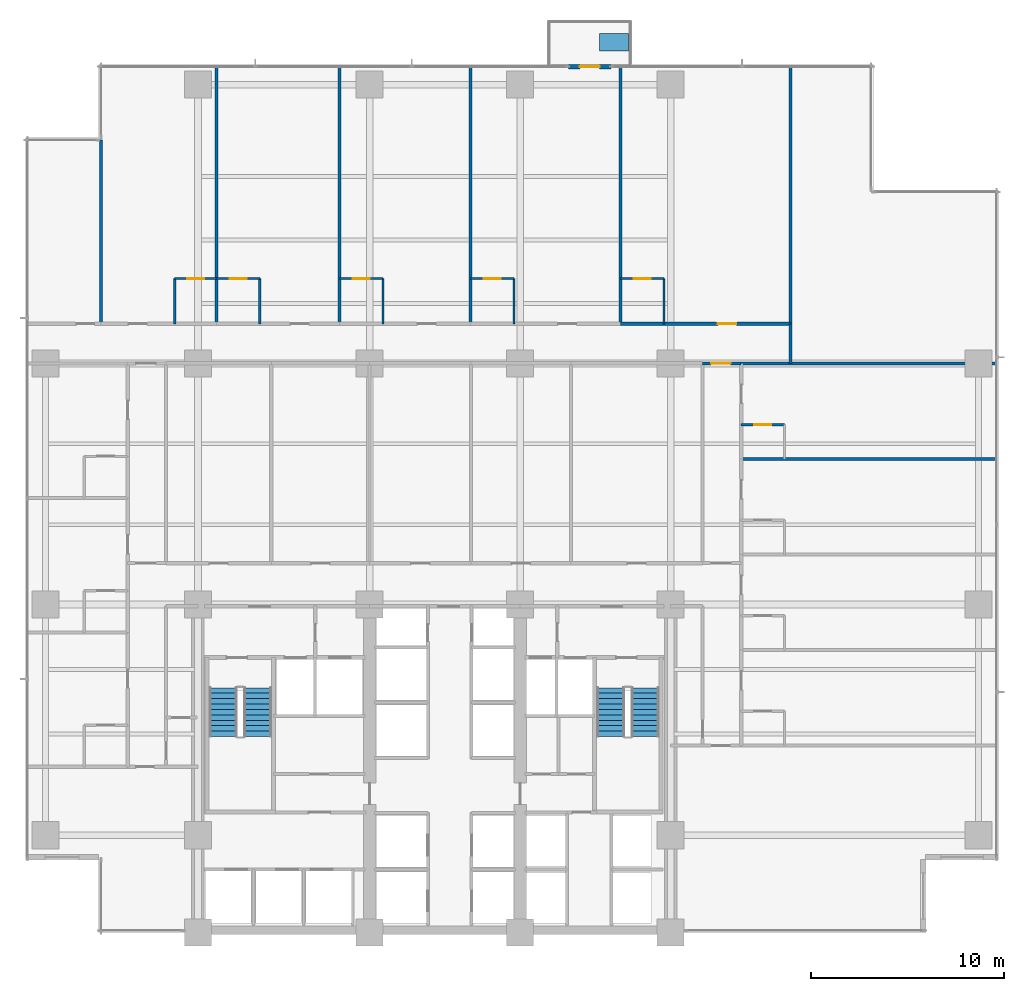
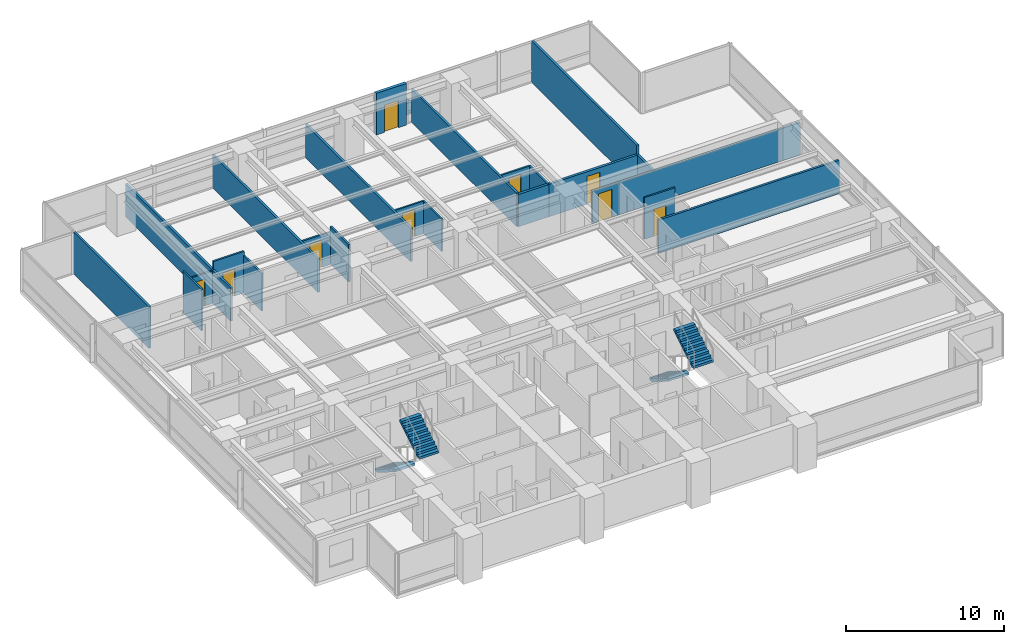
# One storey, part 11 of 17: 24 walls, 9 doors, 4 stair flights, 1 discrete accessory, 9 openings, 2 elements without a shape of their own.
"""IFC4 building model written with IfcOpenShell, lengths in metres."""

from ifc_helpers import new_model, si_unit, direction, frame, frame_2d, origin, place, context, subcontext, project, spatial, polyline, rectangle, outline, extrude, material, layer, layer_set, type_object, element, fill, aggregate, save


model = new_model("IFC4")

# Units and contexts
model_context = context("Model", 3, precision=1e-05, world=origin(), true_north=direction((0.0, 1.0)))
body_context = subcontext(model_context, "Body", "Model", "MODEL_VIEW")
ifc_project = project(units=[si_unit("LENGTHUNIT", "METRE"), si_unit("AREAUNIT", "SQUARE_METRE"), si_unit("VOLUMEUNIT", "CUBIC_METRE"), si_unit("PLANEANGLEUNIT", "RADIAN"), si_unit("MASSUNIT", "GRAM", prefix="KILO")], contexts=[model_context])

# Site, building, storey
site_placement = place(None, origin())
site = spatial("IfcSite", under=ifc_project, at=site_placement, CompositionType="ELEMENT")
building_placement = place(site_placement, origin())
building = spatial("IfcBuilding", under=site, at=building_placement, Name="Qalmaran Belvedere Hotel", CompositionType="ELEMENT")
storey_placement = place(building_placement, frame((0.0, 0.0, 40.39990234375)))
storey = spatial("IfcBuildingStorey", under=building, at=storey_placement, Name="L09", CompositionType="ELEMENT", Elevation=40.39990234375)

# Wall, opening, door
ifc_material_1 = material(Name="Anodised Bronze Cladding")
ifc_layer_1 = layer(ifc_material_1, 0.22509765625, Name="Anodised Bronze Cladding")
ifc_layer_set_1 = layer_set([ifc_layer_1], Name="Anodised Bronze Cladding")
wall_type_1 = type_object("IfcWallType", Name="WL-BAL-PORT-225", PredefinedType="SOLIDWALL", material=ifc_layer_set_1)
wall_1_placement = place(storey_placement, frame((39.5, 48.3798828125, 0.0), z_axis=(0.0, 0.0, 1.0), x_axis=(1.0, 0.0, 0.0)))
wall_1 = element("IfcWall", 1, at=wall_1_placement, inside=storey, type_object=wall_type_1, Name="L09 Tree Balcony Door Portal", PredefinedType="SOLIDWALL", context=body_context, shape_type="SweptSolid", body=[
    extrude(rectangle(XDim=2.199951171875, YDim=0.22509765625, at=frame_2d((1.10009765625, 0.0))), origin(), (0.0, 0.0, 1.0), 3.22021484375),
])
opening_1_placement = place(wall_1_placement, frame((0.590087890625, 0.0, 0.0)))
opening_1 = element("IfcOpeningElement", 2, at=opening_1_placement, cuts=wall_1, Name="Opening BL-102", PredefinedType="OPENING", context=body_context, shape_type="SweptSolid", body=[
    extrude(rectangle(XDim=1.02001953125, YDim=2.10009765625, at=frame_2d((0.510009765625, 1.050048828125))), frame((0.0, 0.12255859375, 0.0), z_axis=(0.0, -1.0, 0.0), x_axis=(1.0, 0.0, 0.0)), (0.0, 0.0, 1.0), 0.2451171875),
])
ifc_material_2 = material(Name="Anodised Bronze Aluminium", Category="aluminium")
door_type_1 = type_object("IfcDoorType", Name="DR-BAL-1020X2100", OperationType="NOTDEFINED", PredefinedType="DOOR", material=ifc_material_2)
door_1_placement = place(opening_1_placement, origin())
door_1 = element("IfcDoor", 3, at=door_1_placement, inside=storey, type_object=door_type_1, Name="L09 Planted Tree Balcony Door", OperationType="SINGLE_SWING_RIGHT", OverallHeight=2.10009765625, OverallWidth=1.02001953125, PredefinedType="DOOR", context=body_context, shape_type="SweptSolid", body=[
    extrude(rectangle(XDim=1.02001953125, YDim=2.10009765625, at=frame_2d((0.510009765625, 1.050048828125))), frame((0.0, 0.02490234375, 0.0), z_axis=(0.0, -1.0, 0.0), x_axis=(1.0, 0.0, 0.0)), (0.0, 0.0, 1.0), 0.050048828125),
])
fill(opening_1, door_1)

ifc_material_3 = material(Name="Moisture-Resistant Gypsum")
ifc_layer_2 = layer(ifc_material_3, 0.1201171875, Name="Moisture-Resistant Gypsum")
ifc_layer_set_2 = layer_set([ifc_layer_2], Name="Moisture-Resistant Gypsum")
wall_type_2 = type_object("IfcWallType", Name="WL-INT-120-BATH", PredefinedType="PARTITIONING", material=ifc_layer_set_2)
wall_2_placement = place(storey_placement, frame((19.096435546875, 37.39990234375, 0.0), z_axis=(0.0, 0.0, 1.0), x_axis=(1.0, 0.0, 0.0)))
wall_2 = element("IfcWall", 4, at=wall_2_placement, inside=storey, type_object=wall_type_2, Name="L09 Partition WL-L09-NBN00", PredefinedType="PARTITIONING", context=body_context, shape_type="SweptSolid", body=[
    extrude(rectangle(XDim=2.16015625, YDim=0.1201171875, at=frame_2d((1.080078125, 0.0))), origin(), (0.0, 0.0, 1.0), 2.510009765625),
])
opening_2_placement = place(wall_2_placement, frame((1.519775390625, 0.0, 0.0), z_axis=(0.0, 0.0, 1.0), x_axis=(-1.0, 0.0, 0.0)))
opening_2 = element("IfcOpeningElement", 5, at=opening_2_placement, cuts=wall_2, Name="Opening D-BATH", PredefinedType="OPENING", context=body_context, shape_type="SweptSolid", body=[
    extrude(rectangle(XDim=0.8798828125, YDim=2.080078125, at=frame_2d((0.43994140625, 1.0400390625))), frame((0.0, 0.070068359375, 0.0), z_axis=(0.0, -1.0, 0.0), x_axis=(1.0, 0.0, 0.0)), (0.0, 0.0, 1.0), 0.14013671875),
])
ifc_material_4 = material(Name="Engineered Oak Veneer")
door_type_2 = type_object("IfcDoorType", Name="DR-INT-BATH-880X2080", OperationType="NOTDEFINED", PredefinedType="DOOR", material=ifc_material_4)
door_2_placement = place(opening_2_placement, origin())
door_2 = element("IfcDoor", 6, at=door_2_placement, inside=storey, type_object=door_type_2, Name="L09 Ensuite Bathroom Door N01", OperationType="SINGLE_SWING_LEFT", OverallHeight=2.080078125, OverallWidth=0.8798828125, PredefinedType="DOOR", context=body_context, shape_type="SweptSolid", body=[
    extrude(rectangle(XDim=0.8798828125, YDim=2.080078125, at=frame_2d((0.43994140625, 1.0400390625))), frame((0.0, 0.02490234375, 0.0), z_axis=(0.0, -1.0, 0.0), x_axis=(1.0, 0.0, 0.0)), (0.0, 0.0, 1.0), 0.050048828125),
])
fill(opening_2, door_2)

# Wall
wall_3_placement = place(storey_placement, frame((19.096435546875, 35.050048828125, 0.0), z_axis=(0.0, 0.0, 1.0), x_axis=(0.0, 1.0, 0.0)))
element("IfcWall", 7, at=wall_3_placement, inside=storey, type_object=wall_type_2, Name="L09 Partition WL-L09-NBS00", PredefinedType="PARTITIONING", context=body_context, shape_type="SweptSolid", body=[
    extrude(rectangle(XDim=2.349853515625, YDim=0.1201171875, at=frame_2d((1.1748046875, 0.0))), origin(), (0.0, 0.0, 1.0), 3.22021484375),
])

# Wall, opening, door
wall_4_placement = place(storey_placement, frame((21.256591796875, 37.39990234375, 0.0), z_axis=(0.0, 0.0, 1.0), x_axis=(1.0, 0.0, 0.0)))
wall_4 = element("IfcWall", 8, at=wall_4_placement, inside=storey, type_object=wall_type_2, Name="L09 Partition WL-L09-NBN01", PredefinedType="PARTITIONING", context=body_context, shape_type="SweptSolid", body=[
    extrude(rectangle(XDim=2.25, YDim=0.1201171875, at=frame_2d((1.125, 0.0))), origin(), (0.0, 0.0, 1.0), 3.22021484375),
])
opening_3_placement = place(wall_4_placement, frame((1.56494140625, 0.0, 0.0), z_axis=(0.0, 0.0, 1.0), x_axis=(-1.0, 0.0, 0.0)))
opening_3 = element("IfcOpeningElement", 9, at=opening_3_placement, cuts=wall_4, Name="Opening D-BATH", PredefinedType="OPENING", context=body_context, shape_type="SweptSolid", body=[
    extrude(rectangle(XDim=0.8798828125, YDim=2.080078125, at=frame_2d((0.43994140625, 1.0400390625))), frame((0.0, 0.070068359375, 0.0), z_axis=(0.0, -1.0, 0.0), x_axis=(1.0, 0.0, 0.0)), (0.0, 0.0, 1.0), 0.14013671875),
])
door_3_placement = place(opening_3_placement, origin())
door_3 = element("IfcDoor", 10, at=door_3_placement, inside=storey, type_object=door_type_2, Name="L09 Ensuite Bathroom Door N02", OperationType="SINGLE_SWING_LEFT", OverallHeight=2.080078125, OverallWidth=0.8798828125, PredefinedType="DOOR", context=body_context, shape_type="SweptSolid", body=[
    extrude(rectangle(XDim=0.8798828125, YDim=2.080078125, at=frame_2d((0.43994140625, 1.0400390625))), frame((0.0, 0.02490234375, 0.0), z_axis=(0.0, -1.0, 0.0), x_axis=(1.0, 0.0, 0.0)), (0.0, 0.0, 1.0), 0.050048828125),
])
fill(opening_3, door_3)

# Wall
wall_5_placement = place(storey_placement, frame((23.506591796875, 35.050048828125, 0.0), z_axis=(0.0, 0.0, 1.0), x_axis=(0.0, 1.0, 0.0)))
element("IfcWall", 11, at=wall_5_placement, inside=storey, type_object=wall_type_2, Name="L09 Partition WL-L09-NBS01", PredefinedType="PARTITIONING", context=body_context, shape_type="SweptSolid", body=[
    extrude(rectangle(XDim=2.349853515625, YDim=0.1201171875, at=frame_2d((1.1748046875, 0.0))), origin(), (0.0, 0.0, 1.0), 2.902099609375),
])

# Wall, opening, door
wall_6_placement = place(storey_placement, frame((27.64208984375, 37.39990234375, 0.0), z_axis=(0.0, 0.0, 1.0), x_axis=(1.0, 0.0, 0.0)))
wall_6 = element("IfcWall", 12, at=wall_6_placement, inside=storey, type_object=wall_type_2, Name="L09 Partition WL-L09-NBN02", PredefinedType="PARTITIONING", context=body_context, shape_type="SweptSolid", body=[
    extrude(rectangle(XDim=2.25, YDim=0.1201171875, at=frame_2d((1.125, 0.0))), origin(), (0.0, 0.0, 1.0), 2.510009765625),
])
opening_4_placement = place(wall_6_placement, frame((1.56494140625, 0.0, 0.0), z_axis=(0.0, 0.0, 1.0), x_axis=(-1.0, 0.0, 0.0)))
opening_4 = element("IfcOpeningElement", 13, at=opening_4_placement, cuts=wall_6, Name="Opening D-BATH", PredefinedType="OPENING", context=body_context, shape_type="SweptSolid", body=[
    extrude(rectangle(XDim=0.8798828125, YDim=2.080078125, at=frame_2d((0.43994140625, 1.0400390625))), frame((0.0, 0.070068359375, 0.0), z_axis=(0.0, -1.0, 0.0), x_axis=(1.0, 0.0, 0.0)), (0.0, 0.0, 1.0), 0.14013671875),
])
door_4_placement = place(opening_4_placement, origin())
door_4 = element("IfcDoor", 14, at=door_4_placement, inside=storey, type_object=door_type_2, Name="L09 Ensuite Bathroom Door N03", OperationType="SINGLE_SWING_LEFT", OverallHeight=2.080078125, OverallWidth=0.8798828125, PredefinedType="DOOR", context=body_context, shape_type="SweptSolid", body=[
    extrude(rectangle(XDim=0.8798828125, YDim=2.080078125, at=frame_2d((0.43994140625, 1.0400390625))), frame((0.0, 0.02490234375, 0.0), z_axis=(0.0, -1.0, 0.0), x_axis=(1.0, 0.0, 0.0)), (0.0, 0.0, 1.0), 0.050048828125),
])
fill(opening_4, door_4)

# Wall
wall_7_placement = place(storey_placement, frame((29.89208984375, 35.050048828125, 0.0), z_axis=(0.0, 0.0, 1.0), x_axis=(0.0, 1.0, 0.0)))
element("IfcWall", 15, at=wall_7_placement, inside=storey, type_object=wall_type_2, Name="L09 Partition WL-L09-NBS02", PredefinedType="PARTITIONING", context=body_context, shape_type="SweptSolid", body=[
    extrude(rectangle(XDim=2.349853515625, YDim=0.1201171875, at=frame_2d((1.1748046875, 0.0))), origin(), (0.0, 0.0, 1.0), 2.902099609375),
])

# Wall, opening, door
wall_8_placement = place(storey_placement, frame((34.4267578125, 37.39990234375, 0.0), z_axis=(0.0, 0.0, 1.0), x_axis=(1.0, 0.0, 0.0)))
wall_8 = element("IfcWall", 16, at=wall_8_placement, inside=storey, type_object=wall_type_2, Name="L09 Partition WL-L09-NBN03", PredefinedType="PARTITIONING", context=body_context, shape_type="SweptSolid", body=[
    extrude(rectangle(XDim=2.25, YDim=0.1201171875, at=frame_2d((1.125, 0.0))), origin(), (0.0, 0.0, 1.0), 2.510009765625),
])
opening_5_placement = place(wall_8_placement, frame((1.56494140625, 0.0, 0.0), z_axis=(0.0, 0.0, 1.0), x_axis=(-1.0, 0.0, 0.0)))
opening_5 = element("IfcOpeningElement", 17, at=opening_5_placement, cuts=wall_8, Name="Opening D-BATH", PredefinedType="OPENING", context=body_context, shape_type="SweptSolid", body=[
    extrude(rectangle(XDim=0.8798828125, YDim=2.080078125, at=frame_2d((0.43994140625, 1.0400390625))), frame((0.0, 0.070068359375, 0.0), z_axis=(0.0, -1.0, 0.0), x_axis=(1.0, 0.0, 0.0)), (0.0, 0.0, 1.0), 0.14013671875),
])
door_5_placement = place(opening_5_placement, origin())
door_5 = element("IfcDoor", 18, at=door_5_placement, inside=storey, type_object=door_type_2, Name="L09 Ensuite Bathroom Door N04", OperationType="SINGLE_SWING_LEFT", OverallHeight=2.080078125, OverallWidth=0.8798828125, PredefinedType="DOOR", context=body_context, shape_type="SweptSolid", body=[
    extrude(rectangle(XDim=0.8798828125, YDim=2.080078125, at=frame_2d((0.43994140625, 1.0400390625))), frame((0.0, 0.02490234375, 0.0), z_axis=(0.0, -1.0, 0.0), x_axis=(1.0, 0.0, 0.0)), (0.0, 0.0, 1.0), 0.050048828125),
])
fill(opening_5, door_5)

# Wall
wall_9_placement = place(storey_placement, frame((36.6767578125, 35.050048828125, 0.0), z_axis=(0.0, 0.0, 1.0), x_axis=(0.0, 1.0, 0.0)))
element("IfcWall", 19, at=wall_9_placement, inside=storey, type_object=wall_type_2, Name="L09 Partition WL-L09-NBS03", PredefinedType="PARTITIONING", context=body_context, shape_type="SweptSolid", body=[
    extrude(rectangle(XDim=2.349853515625, YDim=0.1201171875, at=frame_2d((1.1748046875, 0.0))), origin(), (0.0, 0.0, 1.0), 2.510009765625),
])

# Wall, opening, door
wall_10_placement = place(storey_placement, frame((42.199951171875, 37.39990234375, 0.0), z_axis=(0.0, 0.0, 1.0), x_axis=(1.0, 0.0, 0.0)))
wall_10 = element("IfcWall", 20, at=wall_10_placement, inside=storey, type_object=wall_type_2, Name="L09 Partition WL-L09-NBN04", PredefinedType="PARTITIONING", context=body_context, shape_type="SweptSolid", body=[
    extrude(rectangle(XDim=2.25, YDim=0.1201171875, at=frame_2d((1.125, 0.0))), origin(), (0.0, 0.0, 1.0), 2.510009765625),
])
opening_6_placement = place(wall_10_placement, frame((1.56494140625, 0.0, 0.0), z_axis=(0.0, 0.0, 1.0), x_axis=(-1.0, 0.0, 0.0)))
opening_6 = element("IfcOpeningElement", 21, at=opening_6_placement, cuts=wall_10, Name="Opening D-BATH", PredefinedType="OPENING", context=body_context, shape_type="SweptSolid", body=[
    extrude(rectangle(XDim=0.8798828125, YDim=2.080078125, at=frame_2d((0.43994140625, 1.0400390625))), frame((0.0, 0.070068359375, 0.0), z_axis=(0.0, -1.0, 0.0), x_axis=(1.0, 0.0, 0.0)), (0.0, 0.0, 1.0), 0.14013671875),
])
door_6_placement = place(opening_6_placement, origin())
door_6 = element("IfcDoor", 22, at=door_6_placement, inside=storey, type_object=door_type_2, Name="L09 Ensuite Bathroom Door N05", OperationType="SINGLE_SWING_LEFT", OverallHeight=2.080078125, OverallWidth=0.8798828125, PredefinedType="DOOR", context=body_context, shape_type="SweptSolid", body=[
    extrude(rectangle(XDim=0.8798828125, YDim=2.080078125, at=frame_2d((0.43994140625, 1.0400390625))), frame((0.0, 0.02490234375, 0.0), z_axis=(0.0, -1.0, 0.0), x_axis=(1.0, 0.0, 0.0)), (0.0, 0.0, 1.0), 0.050048828125),
])
fill(opening_6, door_6)

# Wall
wall_11_placement = place(storey_placement, frame((44.449951171875, 35.050048828125, 0.0), z_axis=(0.0, 0.0, 1.0), x_axis=(0.0, 1.0, 0.0)))
element("IfcWall", 23, at=wall_11_placement, inside=storey, type_object=wall_type_2, Name="L09 Partition WL-L09-NBS04", PredefinedType="PARTITIONING", context=body_context, shape_type="SweptSolid", body=[
    extrude(rectangle(XDim=2.349853515625, YDim=0.1201171875, at=frame_2d((1.1748046875, 0.0))), origin(), (0.0, 0.0, 1.0), 2.510009765625),
])

# Wall, opening, door
wall_12_placement = place(storey_placement, frame((48.449951171875, 29.830078125, 0.0), z_axis=(0.0, 0.0, 1.0), x_axis=(1.0, 0.0, 0.0)))
wall_12 = element("IfcWall", 24, at=wall_12_placement, inside=storey, type_object=wall_type_2, Name="L09 Partition WL-L09-EBN03", PredefinedType="PARTITIONING", context=body_context, shape_type="SweptSolid", body=[
    extrude(rectangle(XDim=2.25, YDim=0.1201171875, at=frame_2d((1.125, 0.0))), origin(), (0.0, 0.0, 1.0), 3.22021484375),
])
opening_7_placement = place(wall_12_placement, frame((1.56494140625, 0.0, 0.0), z_axis=(0.0, 0.0, 1.0), x_axis=(-1.0, 0.0, 0.0)))
opening_7 = element("IfcOpeningElement", 25, at=opening_7_placement, cuts=wall_12, Name="Opening D-BATH", PredefinedType="OPENING", context=body_context, shape_type="SweptSolid", body=[
    extrude(rectangle(XDim=0.8798828125, YDim=2.080078125, at=frame_2d((0.43994140625, 1.0400390625))), frame((0.0, 0.070068359375, 0.0), z_axis=(0.0, -1.0, 0.0), x_axis=(1.0, 0.0, 0.0)), (0.0, 0.0, 1.0), 0.14013671875),
])
door_7_placement = place(opening_7_placement, origin())
door_7 = element("IfcDoor", 26, at=door_7_placement, inside=storey, type_object=door_type_2, Name="L09 E Ensuite Door 04", OperationType="SINGLE_SWING_LEFT", OverallHeight=2.080078125, OverallWidth=0.8798828125, PredefinedType="DOOR", context=body_context, shape_type="SweptSolid", body=[
    extrude(rectangle(XDim=0.8798828125, YDim=2.080078125, at=frame_2d((0.43994140625, 1.0400390625))), frame((0.0, 0.02490234375, 0.0), z_axis=(0.0, -1.0, 0.0), x_axis=(1.0, 0.0, 0.0)), (0.0, 0.0, 1.0), 0.050048828125),
])
fill(opening_7, door_7)

ifc_material_5 = material(Name="Gypsum Stud Partition")
ifc_layer_3 = layer(ifc_material_5, 0.14990234375, Name="Gypsum Stud Partition")
ifc_layer_set_3 = layer_set([ifc_layer_3], Name="Gypsum Stud Partition")
wall_type_3 = type_object("IfcWallType", Name="WL-INT-150-EI60", PredefinedType="PARTITIONING", material=ifc_layer_set_3)
wall_13_placement = place(storey_placement, frame((46.449951171875, 33.0, 0.0), z_axis=(0.0, 0.0, 1.0), x_axis=(1.0, 0.0, 0.0)))
wall_13 = element("IfcWall", 27, at=wall_13_placement, inside=storey, type_object=wall_type_3, Name="L09 Partition WL-L09-XCE2", PredefinedType="PARTITIONING", context=body_context, shape_type="SweptSolid", body=[
    extrude(rectangle(XDim=2.0, YDim=0.14990234375, at=frame_2d((1.0, 0.0))), origin(), (0.0, 0.0, 1.0), 2.510009765625),
])
opening_8_placement = place(wall_13_placement, frame((0.449951171875, 0.0, 0.0)))
opening_8 = element("IfcOpeningElement", 28, at=opening_8_placement, cuts=wall_13, Name="Opening FD90B", PredefinedType="OPENING", context=body_context, shape_type="SweptSolid", body=[
    extrude(rectangle(XDim=1.0, YDim=2.14990234375, at=frame_2d((0.5, 1.074951171875))), frame((0.0, 0.0849609375, 0.0), z_axis=(0.0, -1.0, 0.0), x_axis=(1.0, 0.0, 0.0)), (0.0, 0.0, 1.0), 0.169921875),
])
ifc_material_6 = material(Name="Steel S355JR", Category="steel")
door_type_3 = type_object("IfcDoorType", Name="DR-FD90B-1000X2150", OperationType="NOTDEFINED", PredefinedType="DOOR", material=ifc_material_6)
door_8_placement = place(opening_8_placement, origin())
door_8 = element("IfcDoor", 29, at=door_8_placement, inside=storey, type_object=door_type_3, Name="L09 East Corridor Smoke Door N", OperationType="SINGLE_SWING_LEFT", OverallHeight=2.14990234375, OverallWidth=1.0, PredefinedType="DOOR", context=body_context, shape_type="SweptSolid", body=[
    extrude(rectangle(XDim=1.0, YDim=2.14990234375, at=frame_2d((0.5, 1.074951171875))), frame((0.0, 0.02490234375, 0.0), z_axis=(0.0, -1.0, 0.0), x_axis=(1.0, 0.0, 0.0)), (0.0, 0.0, 1.0), 0.050048828125),
])
fill(opening_8, door_8)

# Walls
ifc_layer_4 = layer(ifc_material_5, 0.159912109375, Name="Gypsum Stud Partition")
ifc_layer_set_4 = layer_set([ifc_layer_4], Name="Gypsum Stud Partition")
wall_type_4 = type_object("IfcWallType", Name="WL-INT-160-EI60", PredefinedType="PARTITIONING", material=ifc_layer_set_4)
wall_14_placement = place(storey_placement, frame((51.0, 33.0, 0.0), z_axis=(0.0, 0.0, 1.0), x_axis=(0.0, 1.0, 0.0)))
element("IfcWall", 30, at=wall_14_placement, inside=storey, type_object=wall_type_4, Name="L09 Partition WL-L09-NCGE", PredefinedType="PARTITIONING", context=body_context, shape_type="SweptSolid", body=[
    extrude(rectangle(XDim=2.050048828125, YDim=0.159912109375, at=frame_2d((1.02490234375, 0.0))), origin(), (0.0, 0.0, 1.0), 2.510009765625),
])
wall_15_placement = place(storey_placement, frame((15.27001953125, 35.050048828125, 0.0), z_axis=(0.0, 0.0, 1.0), x_axis=(0.0, 1.0, 0.0)))
element("IfcWall", 31, at=wall_15_placement, inside=storey, type_object=wall_type_4, Name="L09 Partition WL-L09-NUL", PredefinedType="PARTITIONING", context=body_context, shape_type="SweptSolid", body=[
    extrude(rectangle(XDim=9.530029296875, YDim=0.159912109375, at=frame_2d((4.76513671875, 0.0))), origin(), (0.0, 0.0, 1.0), 3.22021484375),
])
for number, where, z_axis, x_axis, name in (
    (32, (21.256591796875, 35.050048828125, 0.0), (0.0, 0.0, 1.0), (0.0, 1.0, 0.0), "L09 Partition WL-L09-NUR00"),
    (33, (27.64208984375, 35.050048828125, 0.0), (0.0, 0.0, 1.0), (0.0, 1.0, 0.0), "L09 Partition WL-L09-NUR01"),
    (34, (34.4267578125, 35.050048828125, 0.0), (0.0, 0.0, 1.0), (0.0, 1.0, 0.0), "L09 Partition WL-L09-NUR02"),
    (35, (42.199951171875, 35.050048828125, 0.0), (0.0, 0.0, 1.0), (0.0, 1.0, 0.0), "L09 Partition WL-L09-NUR03"),
):
    element("IfcWall", number, at=place(storey_placement, frame(where, z_axis=z_axis, x_axis=x_axis)), inside=storey, type_object=wall_type_4, Name=name, PredefinedType="PARTITIONING", context=body_context, shape_type="SweptSolid", body=[
        extrude(rectangle(XDim=13.329833984375, YDim=0.159912109375, at=frame_2d((6.6650390625, 0.0))), origin(), (0.0, 0.0, 1.0), 2.5830078125),
    ])
wall_16_placement = place(storey_placement, frame((51.0, 35.050048828125, 0.0), z_axis=(0.0, 0.0, 1.0), x_axis=(0.0, 1.0, 0.0)))
element("IfcWall", 36, at=wall_16_placement, inside=storey, type_object=wall_type_4, Name="L09 Partition WL-L09-NUR04", PredefinedType="PARTITIONING", context=body_context, shape_type="SweptSolid", body=[
    extrude(rectangle(XDim=13.329833984375, YDim=0.159912109375, at=frame_2d((6.6650390625, 0.0))), origin(), (0.0, 0.0, 1.0), 3.22021484375),
])
wall_17_placement = place(storey_placement, frame((48.449951171875, 28.050048828125, 0.0), z_axis=(0.0, 0.0, 1.0), x_axis=(1.0, 0.0, 0.0)))
element("IfcWall", 37, at=wall_17_placement, inside=storey, type_object=wall_type_4, Name="L09 Partition WL-L09-EU02", PredefinedType="PARTITIONING", context=body_context, shape_type="SweptSolid", body=[
    extrude(rectangle(XDim=13.22998046875, YDim=0.159912109375, at=frame_2d((6.614990234375, 0.0))), origin(), (0.0, 0.0, 1.0), 2.5830078125),
])
wall_18_placement = place(storey_placement, frame((48.449951171875, 33.0, 0.0), z_axis=(0.0, 0.0, 1.0), x_axis=(1.0, 0.0, 0.0)))
element("IfcWall", 38, at=wall_18_placement, inside=storey, type_object=wall_type_4, Name="L09 Partition WL-L09-EU03", PredefinedType="PARTITIONING", context=body_context, shape_type="SweptSolid", body=[
    extrude(rectangle(XDim=13.22998046875, YDim=0.159912109375, at=frame_2d((6.614990234375, 0.0))), origin(), (0.0, 0.0, 1.0), 2.510009765625),
])
ifc_layer_5 = layer(ifc_material_5, 0.179931640625, Name="Gypsum Stud Partition")
ifc_layer_set_5 = layer_set([ifc_layer_5], Name="Gypsum Stud Partition")
wall_type_5 = type_object("IfcWallType", Name="WL-INT-180-EI60", PredefinedType="PARTITIONING", material=ifc_layer_set_5)
wall_19_placement = place(storey_placement, frame((42.199951171875, 35.050048828125, 0.0), z_axis=(0.0, 0.0, 1.0), x_axis=(1.0, 0.0, 0.0)))
element("IfcWall", 39, at=wall_19_placement, inside=storey, type_object=wall_type_5, Name="L09 Partition WL-L09-NBC04", PredefinedType="PARTITIONING", context=body_context, shape_type="SweptSolid", body=[
    extrude(rectangle(XDim=2.25, YDim=0.179931640625, at=frame_2d((1.125, 0.0))), origin(), (0.0, 0.0, 1.0), 2.510009765625),
])

# Wall, opening, door
wall_20_placement = place(storey_placement, frame((44.449951171875, 35.050048828125, 0.0), z_axis=(0.0, 0.0, 1.0), x_axis=(1.0, 0.0, 0.0)))
wall_20 = element("IfcWall", 40, at=wall_20_placement, inside=storey, type_object=wall_type_5, Name="L09 Partition WL-L09-NEC04", PredefinedType="PARTITIONING", context=body_context, shape_type="SweptSolid", body=[
    extrude(rectangle(XDim=6.550048828125, YDim=0.179931640625, at=frame_2d((3.27490234375, 0.0))), origin(), (0.0, 0.0, 1.0), 2.510009765625),
])
opening_9_placement = place(wall_20_placement, frame((2.800048828125, 0.0, 0.0)))
opening_9 = element("IfcOpeningElement", 41, at=opening_9_placement, cuts=wall_20, Name="Opening FD60", PredefinedType="OPENING", context=body_context, shape_type="SweptSolid", body=[
    extrude(rectangle(XDim=0.949951171875, YDim=2.14990234375, at=frame_2d((0.47509765625, 1.074951171875))), frame((0.0, 0.10009765625, 0.0), z_axis=(0.0, -1.0, 0.0), x_axis=(1.0, 0.0, 0.0)), (0.0, 0.0, 1.0), 0.199951171875),
])
door_type_4 = type_object("IfcDoorType", Name="DR-FD60-950X2150", OperationType="NOTDEFINED", PredefinedType="DOOR", material=ifc_material_4)
door_9_placement = place(opening_9_placement, origin())
door_9 = element("IfcDoor", 42, at=door_9_placement, inside=storey, type_object=door_type_4, Name="L09 Guest Entrance Door N05", OperationType="SINGLE_SWING_RIGHT", OverallHeight=2.14990234375, OverallWidth=0.949951171875, PredefinedType="DOOR", context=body_context, shape_type="SweptSolid", body=[
    extrude(rectangle(XDim=0.949951171875, YDim=2.14990234375, at=frame_2d((0.47509765625, 1.074951171875))), frame((0.0, 0.02490234375, 0.0), z_axis=(0.0, -1.0, 0.0), x_axis=(1.0, 0.0, 0.0)), (0.0, 0.0, 1.0), 0.050048828125),
])
fill(opening_9, door_9)

# Stair, stair flights
ifc_material_7 = material(Name="Concrete C40/50", Category="concrete")
stair_type_1 = type_object("IfcStairType", Name="STR-ST-1-1450-R1750", PredefinedType="HALF_TURN_STAIR", material=ifc_material_7)
stair_1_placement = place(storey_placement, origin())
stair_1 = element("IfcStair", 43, at=stair_1_placement, inside=storey, type_object=stair_type_1, Name="L09 West Core Exit Stair ST-1", PredefinedType="HALF_TURN_STAIR")
ifc_layer_6 = layer(ifc_material_7, 0.14990234375, Name="Concrete C40/50")
ifc_layer_set_6 = layer_set([ifc_layer_6], Name="Concrete C40/50")
stair_flight_type_1 = type_object("IfcStairFlightType", Name="STF-ST-1-1450-R1750", PredefinedType="STRAIGHT", material=ifc_layer_set_6)
stair_flight_1_placement = place(storey_placement, frame((21.60498046875, 16.18994140625, 0.0), z_axis=(0.0, 0.0, 1.0), x_axis=(0.0, -1.0, 0.0)))
stair_flight_1 = element("IfcStairFlight", 44, at=stair_flight_1_placement, type_object=stair_flight_type_1, Name="ST-1 flight 1", NumberOfRisers=10, NumberOfTreads=9, PredefinedType="STRAIGHT", RiserHeight=0.175, TreadLength=0.28, context=body_context, shape_type="SweptSolid", body=[
    extrude(outline(polyline([(0.0, 0.0), (0.0, 0.175048828125), (0.280029296875, 0.175048828125), (0.280029296875, 0.35009765625), (0.56005859375, 0.35009765625), (0.56005859375, 0.52490234375), (0.840087890625, 0.52490234375), (0.840087890625, 0.699951171875), (1.1201171875, 0.699951171875), (1.1201171875, 0.875), (1.39990234375, 0.875), (1.39990234375, 1.050048828125), (1.679931640625, 1.050048828125), (1.679931640625, 1.22509765625), (1.9599609375, 1.22509765625), (1.9599609375, 1.39990234375), (2.239990234375, 1.39990234375), (2.239990234375, 1.574951171875), (2.52001953125, 1.574951171875), (2.52001953125, 1.75), (2.52001953125, 1.398193359375), (0.28271484375, 0.0), (0.0, 0.0)])), frame((0.0, 0.72509765625, 0.0), z_axis=(0.0, -1.0, 0.0), x_axis=(1.0, 0.0, 0.0)), (0.0, 0.0, 1.0), 1.449951171875),
])
stair_flight_2_placement = place(storey_placement, frame((23.39501953125, 13.669921875, 1.75), z_axis=(0.0, 0.0, 1.0), x_axis=(0.0, 1.0, 0.0)))
stair_flight_2 = element("IfcStairFlight", 45, at=stair_flight_2_placement, type_object=stair_flight_type_1, Name="ST-1 flight 2", NumberOfRisers=10, NumberOfTreads=9, PredefinedType="STRAIGHT", RiserHeight=0.175, TreadLength=0.28, context=body_context, shape_type="SweptSolid", body=[
    extrude(outline(polyline([(0.0, 0.0), (0.0, 0.175048828125), (0.280029296875, 0.175048828125), (0.280029296875, 0.35009765625), (0.56005859375, 0.35009765625), (0.56005859375, 0.52490234375), (0.840087890625, 0.52490234375), (0.840087890625, 0.699951171875), (1.1201171875, 0.699951171875), (1.1201171875, 0.875), (1.39990234375, 0.875), (1.39990234375, 1.050048828125), (1.679931640625, 1.050048828125), (1.679931640625, 1.22509765625), (1.9599609375, 1.22509765625), (1.9599609375, 1.39990234375), (2.239990234375, 1.39990234375), (2.239990234375, 1.574951171875), (2.52001953125, 1.574951171875), (2.52001953125, 1.75), (2.52001953125, 1.398193359375), (0.28271484375, 0.0), (0.0, 0.0)])), frame((0.0, 0.72509765625, 0.0), z_axis=(0.0, -1.0, 0.0), x_axis=(1.0, 0.0, 0.0)), (0.0, 0.0, 1.0), 1.449951171875),
])
aggregate(stair_1, [stair_flight_1, stair_flight_2])

stair_type_2 = type_object("IfcStairType", Name="STR-ST-2-1450-R1750", PredefinedType="HALF_TURN_STAIR", material=ifc_material_7)
stair_2_placement = place(storey_placement, origin())
stair_2 = element("IfcStair", 46, at=stair_2_placement, inside=storey, type_object=stair_type_2, Name="L09 East Core Exit Stair ST-2", PredefinedType="HALF_TURN_STAIR")
ifc_layer_7 = layer(ifc_material_7, 0.14990234375, Name="Concrete C40/50")
ifc_layer_set_7 = layer_set([ifc_layer_7], Name="Concrete C40/50")
stair_flight_type_2 = type_object("IfcStairFlightType", Name="STF-ST-2-1450-R1750", PredefinedType="STRAIGHT", material=ifc_layer_set_7)
stair_flight_3_placement = place(storey_placement, frame((41.68505859375, 16.18994140625, 0.0), z_axis=(0.0, 0.0, 1.0), x_axis=(0.0, -1.0, 0.0)))
stair_flight_3 = element("IfcStairFlight", 47, at=stair_flight_3_placement, type_object=stair_flight_type_2, Name="ST-2 flight 1", NumberOfRisers=10, NumberOfTreads=9, PredefinedType="STRAIGHT", RiserHeight=0.175, TreadLength=0.28, context=body_context, shape_type="SweptSolid", body=[
    extrude(outline(polyline([(0.0, 0.0), (0.0, 0.175048828125), (0.280029296875, 0.175048828125), (0.280029296875, 0.35009765625), (0.56005859375, 0.35009765625), (0.56005859375, 0.52490234375), (0.840087890625, 0.52490234375), (0.840087890625, 0.699951171875), (1.1201171875, 0.699951171875), (1.1201171875, 0.875), (1.39990234375, 0.875), (1.39990234375, 1.050048828125), (1.679931640625, 1.050048828125), (1.679931640625, 1.22509765625), (1.9599609375, 1.22509765625), (1.9599609375, 1.39990234375), (2.239990234375, 1.39990234375), (2.239990234375, 1.574951171875), (2.52001953125, 1.574951171875), (2.52001953125, 1.75), (2.52001953125, 1.398193359375), (0.28271484375, 0.0), (0.0, 0.0)])), frame((0.0, 0.72509765625, 0.0), z_axis=(0.0, -1.0, 0.0), x_axis=(1.0, 0.0, 0.0)), (0.0, 0.0, 1.0), 1.449951171875),
])
stair_flight_4_placement = place(storey_placement, frame((43.47509765625, 13.669921875, 1.75), z_axis=(0.0, 0.0, 1.0), x_axis=(0.0, 1.0, 0.0)))
stair_flight_4 = element("IfcStairFlight", 48, at=stair_flight_4_placement, type_object=stair_flight_type_2, Name="ST-2 flight 2", NumberOfRisers=10, NumberOfTreads=9, PredefinedType="STRAIGHT", RiserHeight=0.175, TreadLength=0.28, context=body_context, shape_type="SweptSolid", body=[
    extrude(outline(polyline([(0.0, 0.0), (0.0, 0.175048828125), (0.280029296875, 0.175048828125), (0.280029296875, 0.35009765625), (0.56005859375, 0.35009765625), (0.56005859375, 0.52490234375), (0.840087890625, 0.52490234375), (0.840087890625, 0.699951171875), (1.1201171875, 0.699951171875), (1.1201171875, 0.875), (1.39990234375, 0.875), (1.39990234375, 1.050048828125), (1.679931640625, 1.050048828125), (1.679931640625, 1.22509765625), (1.9599609375, 1.22509765625), (1.9599609375, 1.39990234375), (2.239990234375, 1.39990234375), (2.239990234375, 1.574951171875), (2.52001953125, 1.574951171875), (2.52001953125, 1.75), (2.52001953125, 1.398193359375), (0.28271484375, 0.0), (0.0, 0.0)])), frame((0.0, 0.72509765625, 0.0), z_axis=(0.0, -1.0, 0.0), x_axis=(1.0, 0.0, 0.0)), (0.0, 0.0, 1.0), 1.449951171875),
])
aggregate(stair_2, [stair_flight_3, stair_flight_4])

# Discrete accessory
discrete_accessory_type = type_object("IfcDiscreteAccessoryType", Name="PLN-BAL-1500", PredefinedType="USERDEFINED", material=ifc_material_7)
discrete_accessory_placement = place(storey_placement, origin())
element("IfcDiscreteAccessory", 49, at=discrete_accessory_placement, inside=storey, type_object=discrete_accessory_type, Name="L09 Sky Tree Planter", ObjectType="PLANTER", PredefinedType="USERDEFINED", context=body_context, shape_type="SweptSolid", body=[
    extrude(outline(polyline([(41.10009765625, 49.199951171875), (42.60009765625, 49.199951171875), (42.60009765625, 50.10009765625), (41.10009765625, 50.10009765625), (41.10009765625, 49.199951171875)])), origin(), (0.0, 0.0, 1.0), 0.900146484375),
])

save(model, "model.ifc")
